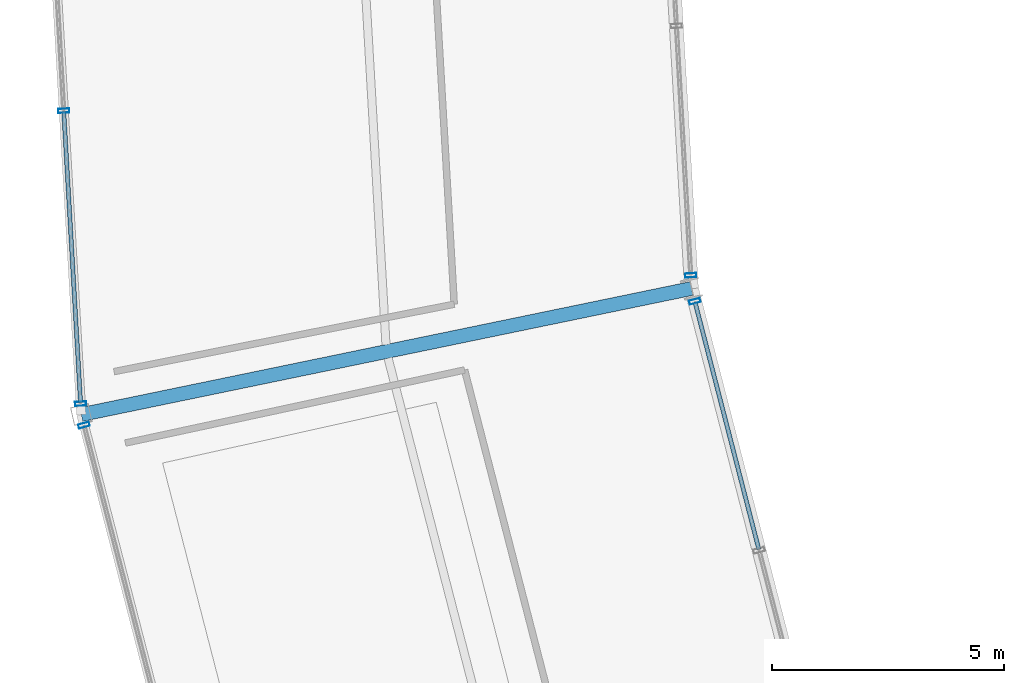
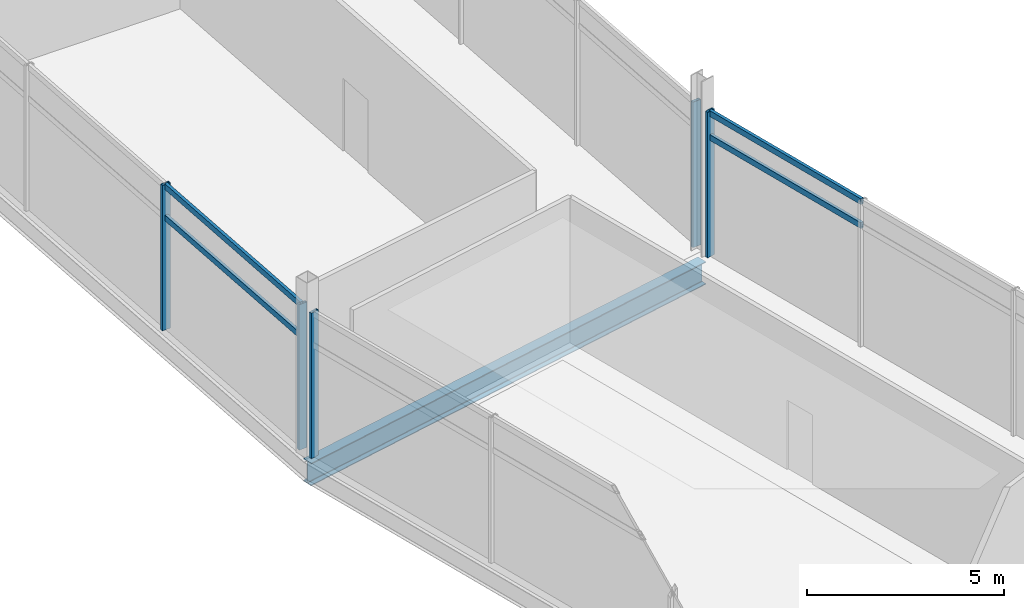
# One storey, part 37 of 86: 9 members, 1 beam, 4 elements without a shape of their own.
"""IFC4 building model written with IfcOpenShell, lengths in metres."""

from ifc_helpers import new_model, si_unit, direction, frame, origin, origin_2d, place, context, subcontext, project, spatial, hollow_rectangle, i_section, extrude, material, layer, layer_set, material_profile, profile_set, type_object, element, aggregate, save


model = new_model("IFC4")

# Units and contexts
model_context = context("Model", 3, precision=1e-05, world=origin(), true_north=direction((0.0, 1.0)))
body_context = subcontext(model_context, "Body", "Model", "MODEL_VIEW")
ifc_project = project(units=[si_unit("LENGTHUNIT", "METRE"), si_unit("AREAUNIT", "SQUARE_METRE"), si_unit("VOLUMEUNIT", "CUBIC_METRE"), si_unit("PLANEANGLEUNIT", "RADIAN"), si_unit("MASSUNIT", "GRAM", prefix="KILO")], contexts=[model_context])

# Site, building, storey
site_placement = place(None, origin())
site = spatial("IfcSite", under=ifc_project, at=site_placement, CompositionType="ELEMENT")
building_placement = place(site_placement, origin())
building = spatial("IfcBuilding", under=site, at=building_placement, Name="Kazemori Nagisa Stadium", CompositionType="ELEMENT")
storey_placement = place(building_placement, frame((0.0, 0.0, 31.280029296875)))
storey = spatial("IfcBuildingStorey", under=building, at=storey_placement, Name="L06", CompositionType="ELEMENT", Elevation=31.280029296875)

# Beam
ifc_material_1 = material(Name="Steel SN490B", Category="steel")
ifc_material_profile_1 = material_profile(ifc_material_1, i_section(OverallWidth=0.300048828125, OverallDepth=0.699951171875, WebThickness=0.012939453125, FlangeThickness=0.02392578125, FilletRadius=0.01806640625, at=origin_2d()), Name="H-700x300x13x24")
ifc_profile_set_1 = profile_set([ifc_material_profile_1], Name="Steel SN490B")
beam_type = type_object("IfcBeamType", Name="Beam_BG-H700", PredefinedType="BEAM", material=ifc_profile_set_1)
beam_placement = place(storey_placement, frame((42.262451171875, 85.31787109375, -0.610107421875), z_axis=(-0.979315516463, -0.202339119339, 0.0), x_axis=(0.202339119339, -0.979315516463, 0.0)))
element("IfcBeam", 1, at=beam_placement, inside=storey, type_object=beam_type, Name="Radial girder BG-H700 L06 R2-R3-16", PredefinedType="BEAM", context=body_context, shape_type="SweptSolid", body=[
    extrude(i_section(OverallWidth=0.300048828125, OverallDepth=0.699951171875, WebThickness=0.012939453125, FlangeThickness=0.02392578125, FilletRadius=0.01806640625, at=origin_2d()), origin(), (0.0, 0.0, 1.0), 13.4208984375),
])

# Curtain wall, members
ifc_material_2 = material(Name="Anodised aluminium 6063-T5", Category="aluminium")
ifc_layer_1 = layer(ifc_material_2, 0.239990234375, Name="Anodised aluminium 6063-T5", Category="aluminium")
ifc_layer_set_1 = layer_set([ifc_layer_1], Name="Anodised aluminium 6063-T5")
curtain_wall_type_1 = type_object("IfcCurtainWallType", Name="CW_L06R3_95", PredefinedType="USERDEFINED", material=ifc_layer_set_1)
curtain_wall_1_placement = place(storey_placement, origin())
curtain_wall_1 = element("IfcCurtainWall", 2, at=curtain_wall_1_placement, inside=storey, type_object=curtain_wall_type_1, Name="Unitised curtain wall CW-L06R3-95 L06", ObjectType="UNITISED CURTAIN WALL", PredefinedType="USERDEFINED")
ifc_material_3 = material(Name="Aluminium 6063-T5 anodised", Category="aluminium")
ifc_material_profile_2 = material_profile(ifc_material_3, hollow_rectangle(XDim=0.090087890625, YDim=0.239990234375, WallThickness=0.0048828125, at=origin_2d()), Name="ALU-MULL-90x240x5")
ifc_profile_set_2 = profile_set([ifc_material_profile_2], Name="Aluminium 6063-T5 anodised")
member_type_1 = type_object("IfcMemberType", Name="Mullion_M03", PredefinedType="MULLION", material=ifc_profile_set_2)
member_1_placement = place(storey_placement, frame((28.74169921875, 89.146484375, 0.0), z_axis=(0.0, 0.0, 1.0), x_axis=(0.057601670941, -0.998339645364, 0.0)))
member_1 = element("IfcMember", 3, at=member_1_placement, type_object=member_type_1, Name="Curtain wall mullion CW-L06R3-95-M3", PredefinedType="MULLION", context=body_context, shape_type="SweptSolid", body=[
    extrude(hollow_rectangle(XDim=0.090087890625, YDim=0.239990234375, WallThickness=0.0048828125, at=origin_2d()), origin(), (0.0, 0.0, 1.0), 4.510009765625),
])
member_2_placement = place(storey_placement, frame((29.105712890625, 82.8369140625, 0.0), z_axis=(0.0, 0.0, 1.0), x_axis=(0.057601670941, -0.998339645364, 0.0)))
member_2 = element("IfcMember", 4, at=member_2_placement, type_object=member_type_1, Name="Curtain wall mullion CW-L06R3-95-M4", PredefinedType="MULLION", context=body_context, shape_type="SweptSolid", body=[
    extrude(hollow_rectangle(XDim=0.090087890625, YDim=0.239990234375, WallThickness=0.0048828125, at=origin_2d()), origin(), (0.0, 0.0, 1.0), 4.510009765625),
])

# Curtain wall, member
ifc_layer_2 = layer(ifc_material_2, 0.239990234375, Name="Anodised aluminium 6063-T5", Category="aluminium")
ifc_layer_set_2 = layer_set([ifc_layer_2], Name="Anodised aluminium 6063-T5")
curtain_wall_type_2 = type_object("IfcCurtainWallType", Name="CW_L06R3_98", PredefinedType="USERDEFINED", material=ifc_layer_set_2)
curtain_wall_2_placement = place(storey_placement, origin())
curtain_wall_2 = element("IfcCurtainWall", 5, at=curtain_wall_2_placement, inside=storey, type_object=curtain_wall_type_2, Name="Unitised curtain wall CW-L06R3-98 L06", ObjectType="UNITISED CURTAIN WALL", PredefinedType="USERDEFINED")
member_3_placement = place(storey_placement, frame((29.177978515625, 82.374755859375, 0.0), z_axis=(0.0, 0.0, 1.0), x_axis=(0.249964642418, -0.968254965152, 0.0)))
member_3 = element("IfcMember", 6, at=member_3_placement, type_object=member_type_1, Name="Curtain wall mullion CW-L06R3-98-M1", PredefinedType="MULLION", context=body_context, shape_type="SweptSolid", body=[
    extrude(hollow_rectangle(XDim=0.090087890625, YDim=0.239990234375, WallThickness=0.0048828125, at=origin_2d()), origin(), (0.0, 0.0, 1.0), 4.510009765625),
])
aggregate(curtain_wall_2, [member_3])

ifc_layer_3 = layer(ifc_material_2, 0.239990234375, Name="Anodised aluminium 6063-T5", Category="aluminium")
ifc_layer_set_3 = layer_set([ifc_layer_3], Name="Anodised aluminium 6063-T5")
curtain_wall_type_3 = type_object("IfcCurtainWallType", Name="CW_L06G_81", PredefinedType="USERDEFINED", material=ifc_layer_set_3)
curtain_wall_3_placement = place(storey_placement, origin())
curtain_wall_3 = element("IfcCurtainWall", 7, at=curtain_wall_3_placement, inside=storey, type_object=curtain_wall_type_3, Name="Unitised curtain wall CW-L06G-81 L06", ObjectType="UNITISED CURTAIN WALL", PredefinedType="USERDEFINED")
member_4_placement = place(storey_placement, frame((42.24609375, 85.6025390625, 0.0), z_axis=(0.0, 0.0, 1.0), x_axis=(0.057601670941, -0.998339645364, 0.0)))
member_4 = element("IfcMember", 8, at=member_4_placement, type_object=member_type_1, Name="Curtain wall mullion CW-L06G-81-M4", PredefinedType="MULLION", context=body_context, shape_type="SweptSolid", body=[
    extrude(hollow_rectangle(XDim=0.090087890625, YDim=0.239990234375, WallThickness=0.0048828125, at=origin_2d()), origin(), (0.0, 0.0, 1.0), 4.510009765625),
])
aggregate(curtain_wall_3, [member_4])

ifc_layer_4 = layer(ifc_material_2, 0.239990234375, Name="Anodised aluminium 6063-T5", Category="aluminium")
ifc_layer_set_4 = layer_set([ifc_layer_4], Name="Anodised aluminium 6063-T5")
curtain_wall_type_4 = type_object("IfcCurtainWallType", Name="CW_L06G_83", PredefinedType="USERDEFINED", material=ifc_layer_set_4)
curtain_wall_4_placement = place(storey_placement, origin())
curtain_wall_4 = element("IfcCurtainWall", 9, at=curtain_wall_4_placement, inside=storey, type_object=curtain_wall_type_4, Name="Unitised curtain wall CW-L06G-83 L06", ObjectType="UNITISED CURTAIN WALL", PredefinedType="USERDEFINED")
member_5_placement = place(storey_placement, frame((42.333740234375, 85.0419921875, 0.0), z_axis=(0.0, 0.0, 1.0), x_axis=(0.249964642418, -0.968254965152, 0.0)))
member_5 = element("IfcMember", 10, at=member_5_placement, type_object=member_type_1, Name="Curtain wall mullion CW-L06G-83-M1", PredefinedType="MULLION", context=body_context, shape_type="SweptSolid", body=[
    extrude(hollow_rectangle(XDim=0.090087890625, YDim=0.239990234375, WallThickness=0.0048828125, at=origin_2d()), origin(), (0.0, 0.0, 1.0), 4.510009765625),
])

# Member
ifc_material_profile_3 = material_profile(ifc_material_3, hollow_rectangle(XDim=0.090087890625, YDim=0.179931640625, WallThickness=0.0048828125, at=origin_2d()), Name="ALU-TRAN-90x180x5")
ifc_profile_set_3 = profile_set([ifc_material_profile_3], Name="Aluminium 6063-T5 anodised")
member_type_2 = type_object("IfcMemberType", Name="Transom_T03", PredefinedType="USERDEFINED", material=ifc_profile_set_3)
member_6_placement = place(storey_placement, frame((28.74267578125, 89.12646484375, 3.47265625), z_axis=(0.057614418392, -0.998338909786, 0.0), x_axis=(0.998338909786, 0.057614418392, 0.0)))
member_6 = element("IfcMember", 11, at=member_6_placement, type_object=member_type_2, Name="Curtain wall transom CW-L06R3-95-T3-mid", ObjectType="TRANSOM", PredefinedType="USERDEFINED", context=body_context, shape_type="SweptSolid", body=[
    extrude(hollow_rectangle(XDim=0.090087890625, YDim=0.179931640625, WallThickness=0.0048828125, at=origin_2d()), origin(), (0.0, 0.0, 1.0), 6.280029296875),
])

member_7_placement = place(storey_placement, frame((28.74267578125, 89.12646484375, 4.43994140625), z_axis=(0.057614418392, -0.998338909786, 0.0), x_axis=(0.998338909786, 0.057614418392, 0.0)))
member_7 = element("IfcMember", 12, at=member_7_placement, type_object=member_type_2, Name="Curtain wall transom CW-L06R3-95-T3-head", ObjectType="TRANSOM", PredefinedType="USERDEFINED", context=body_context, shape_type="SweptSolid", body=[
    extrude(hollow_rectangle(XDim=0.090087890625, YDim=0.179931640625, WallThickness=0.0048828125, at=origin_2d()), origin(), (0.0, 0.0, 1.0), 6.280029296875),
])

aggregate(curtain_wall_1, [member_1, member_2, member_6, member_7])

member_8_placement = place(storey_placement, frame((42.3388671875, 85.022705078125, 3.6982421875), z_axis=(0.249934408946, -0.968262769719, 0.0), x_axis=(0.968262769719, 0.249934408946, 0.0)))
member_8 = element("IfcMember", 13, at=member_8_placement, type_object=member_type_2, Name="Curtain wall transom CW-L06G-83-T1-mid", ObjectType="TRANSOM", PredefinedType="USERDEFINED", context=body_context, shape_type="SweptSolid", body=[
    extrude(hollow_rectangle(XDim=0.090087890625, YDim=0.179931640625, WallThickness=0.0048828125, at=origin_2d()), origin(), (0.0, 0.0, 1.0), 5.49951171875),
])

member_9_placement = place(storey_placement, frame((42.3388671875, 85.022705078125, 4.43994140625), z_axis=(0.249934408946, -0.968262769719, 0.0), x_axis=(0.968262769719, 0.249934408946, 0.0)))
member_9 = element("IfcMember", 14, at=member_9_placement, type_object=member_type_2, Name="Curtain wall transom CW-L06G-83-T1-head", ObjectType="TRANSOM", PredefinedType="USERDEFINED", context=body_context, shape_type="SweptSolid", body=[
    extrude(hollow_rectangle(XDim=0.090087890625, YDim=0.179931640625, WallThickness=0.0048828125, at=origin_2d()), origin(), (0.0, 0.0, 1.0), 5.49951171875),
])

aggregate(curtain_wall_4, [member_5, member_8, member_9])

save(model, "model.ifc")
